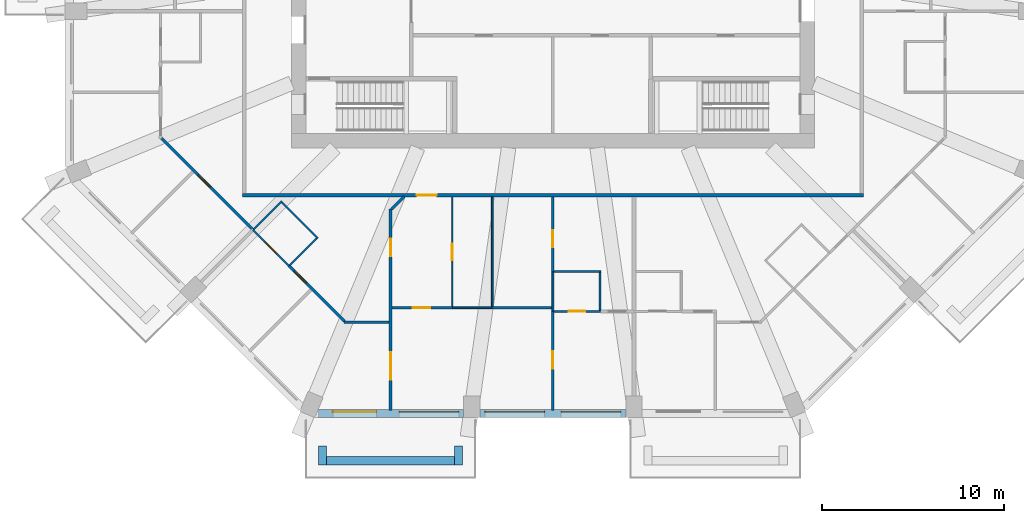
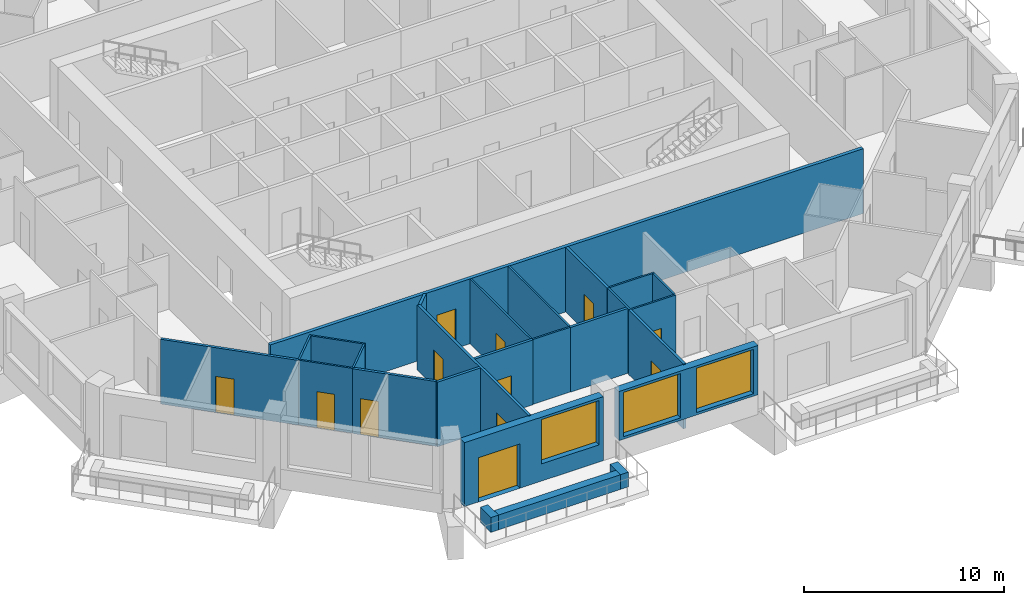
# One storey, part 3 of 13: 26 walls, 12 doors, 3 windows, 15 openings.
"""IFC4 building model written with IfcOpenShell, lengths in metres."""

from ifc_helpers import new_model, si_unit, direction, frame, frame_2d, origin, place, context, subcontext, project, spatial, rectangle, extrude, material, layer, layer_set, type_object, element, fill, save


model = new_model("IFC4")

# Units and contexts
model_context = context("Model", 3, precision=1e-05, world=origin(), true_north=direction((0.0, 1.0)))
body_context = subcontext(model_context, "Body", "Model", "MODEL_VIEW")
ifc_project = project(units=[si_unit("LENGTHUNIT", "METRE"), si_unit("AREAUNIT", "SQUARE_METRE"), si_unit("VOLUMEUNIT", "CUBIC_METRE"), si_unit("PLANEANGLEUNIT", "RADIAN"), si_unit("MASSUNIT", "GRAM", prefix="KILO")], contexts=[model_context])

# Site, building, storey
site_placement = place(None, origin())
site = spatial("IfcSite", under=ifc_project, at=site_placement, CompositionType="ELEMENT")
building_placement = place(site_placement, origin())
building = spatial("IfcBuilding", under=site, at=building_placement, Name="Msitu Wima Residences", CompositionType="ELEMENT")
storey_placement = place(building_placement, frame((0.0, 0.0, 106.5)))
storey = spatial("IfcBuildingStorey", under=building, at=storey_placement, Name="L24", CompositionType="ELEMENT", Elevation=106.5)

# Walls
ifc_material_1 = material(Name="Facing brick")
ifc_layer_1 = layer(ifc_material_1, 0.06494140625, Name="Facing brick")
ifc_material_2 = material(Name="Concrete C40/50", Category="concrete")
ifc_layer_2 = layer(ifc_material_2, 0.156005859375, Name="Concrete C40/50")
ifc_material_3 = material(Name="Waterproofing membrane")
ifc_layer_3 = layer(ifc_material_3, 0.00390625, Name="Waterproofing membrane")
ifc_material_4 = material(Name="Planting soil and planting")
ifc_layer_4 = layer(ifc_material_4, 0.22509765625, Name="Planting soil and planting")
ifc_layer_set_1 = layer_set([ifc_layer_1, ifc_layer_2, ifc_layer_3, ifc_layer_4], Name="Concrete C40/50")
wall_type_1 = type_object("IfcWallType", Name="Balcony planter PLANTER PL450", PredefinedType="USERDEFINED", material=ifc_layer_set_1)
wall_1_placement = place(storey_placement, frame((-12.455810546875, -29.22509765625, 0.0), z_axis=(0.0, 0.0, 1.0), x_axis=(1.0, 0.0, 0.0)))
element("IfcWall", 1, at=wall_1_placement, inside=storey, type_object=wall_type_1, Name="Balcony planter S0 L24", ObjectType="PLANTER", PredefinedType="USERDEFINED", context=body_context, shape_type="SweptSolid", body=[
    extrude(rectangle(XDim=7.037109375, YDim=0.449951171875, at=frame_2d((3.5185546875, 0.0))), origin(), (0.0, 0.0, 1.0), 0.89990234375),
])
for number, where, z_axis, x_axis, name in (
    (2, (-12.680908203125, -28.39990234375, 0.0), (0.0, 0.0, 1.0), (0.0, -1.0, 0.0), "Balcony planter S0 L24"),
    (3, (-5.193603515625, -28.39990234375, 0.0), (0.0, 0.0, 1.0), (0.0, -1.0, 0.0), "Balcony planter S0 L24"),
):
    element("IfcWall", number, at=place(storey_placement, frame(where, z_axis=z_axis, x_axis=x_axis)), inside=storey, type_object=wall_type_1, Name=name, ObjectType="PLANTER", PredefinedType="USERDEFINED", context=body_context, shape_type="SweptSolid", body=[
        extrude(rectangle(XDim=1.050048828125, YDim=0.449951171875, at=frame_2d((0.52490234375, 0.0))), origin(), (0.0, 0.0, 1.0), 0.89990234375),
    ])

# Wall, openings, door, window
ifc_material_5 = material(Name="Brick (red buff mix)", Category="masonry")
ifc_layer_5 = layer(ifc_material_5, 0.449951171875)
ifc_layer_set_2 = layer_set([ifc_layer_5], Name="Brick (red buff mix)")
wall_type_2 = type_object("IfcWallType", Name="Brick infill wall BW450", PredefinedType="SOLIDWALL", material=ifc_layer_set_2)
wall_2_placement = place(storey_placement, frame((-12.918701171875, -26.625, 0.0), z_axis=(0.0, 0.0, 1.0), x_axis=(1.0, 0.0, 0.0)))
wall_2 = element("IfcWall", 4, at=wall_2_placement, inside=storey, type_object=wall_type_2, Name="Brick infill wall L24 S0", PredefinedType="SOLIDWALL", context=body_context, shape_type="SweptSolid", body=[
    extrude(rectangle(XDim=8.0, YDim=0.449951171875, at=frame_2d((4.0, 0.0))), origin(), (0.0, 0.0, 1.0), 3.89990234375),
])
opening_1_placement = place(wall_2_placement, frame((0.800048828125, 0.0, 0.0)))
opening_1 = element("IfcOpeningElement", 5, at=opening_1_placement, cuts=wall_2, Name="Opening D24.006", PredefinedType="OPENING", context=body_context, shape_type="SweptSolid", body=[
    extrude(rectangle(XDim=2.39990234375, YDim=2.699951171875, at=frame_2d((1.199951171875, 1.35009765625))), frame((0.0, 0.23486328125, 0.0), z_axis=(0.0, -1.0, 0.0), x_axis=(1.0, 0.0, 0.0)), (0.0, 0.0, 1.0), 0.469970703125),
])
opening_2_placement = place(wall_2_placement, frame((4.4501953125, 0.0, 1.050048828125)))
opening_2 = element("IfcOpeningElement", 6, at=opening_2_placement, cuts=wall_2, Name="Opening W24.016", PredefinedType="OPENING", context=body_context, shape_type="SweptSolid", body=[
    extrude(rectangle(XDim=3.300048828125, YDim=2.699951171875, at=frame_2d((1.64990234375, 1.35009765625))), frame((0.0, 0.23486328125, 0.0), z_axis=(0.0, -1.0, 0.0), x_axis=(1.0, 0.0, 0.0)), (0.0, 0.0, 1.0), 0.469970703125),
])
ifc_material_6 = material(Name="Anodised aluminium, bronze finish, clear low-emissivity double glazing", Category="aluminium")
door_type_1 = type_object("IfcDoorType", Name="Balcony door D2400x2700", OperationType="SLIDING_TO_LEFT", PredefinedType="DOOR", material=ifc_material_6)
door_1_placement = place(opening_1_placement, origin())
door_1 = element("IfcDoor", 7, at=door_1_placement, inside=storey, type_object=door_type_1, Name="Balcony door L24 S0", OperationType="SINGLE_SWING_LEFT", OverallHeight=2.699951171875, OverallWidth=2.39990234375, PredefinedType="DOOR", context=body_context, shape_type="SweptSolid", body=[
    extrude(rectangle(XDim=2.39990234375, YDim=2.699951171875, at=frame_2d((1.199951171875, 1.35009765625))), frame((0.0, 0.1298828125, 0.0), z_axis=(0.0, -1.0, 0.0), x_axis=(1.0, 0.0, 0.0)), (0.0, 0.0, 1.0), 0.050048828125),
])
fill(opening_1, door_1)
window_type = type_object("IfcWindowType", Name="Window W3300x2700", PartitioningType="DOUBLE_PANEL_VERTICAL", PredefinedType="WINDOW", material=ifc_material_6)
window_1_placement = place(opening_2_placement, origin())
window_1 = element("IfcWindow", 8, at=window_1_placement, inside=storey, type_object=window_type, Name="Window L24 S0.2", OverallHeight=2.699951171875, OverallWidth=3.300048828125, PartitioningType="SINGLE_PANEL", PredefinedType="WINDOW", context=body_context, shape_type="SweptSolid", body=[
    extrude(rectangle(XDim=3.300048828125, YDim=2.699951171875, at=frame_2d((1.64990234375, 1.35009765625))), frame((0.0, 0.135009765625, 0.0), z_axis=(0.0, -1.0, 0.0), x_axis=(1.0, 0.0, 0.0)), (0.0, 0.0, 1.0), 0.06005859375),
])
fill(opening_2, window_1)

# Wall, openings, windows
wall_3_placement = place(storey_placement, frame((-4.0185546875, -26.625, 0.89990234375), z_axis=(0.0, 0.0, 1.0), x_axis=(1.0, 0.0, 0.0)))
wall_3 = element("IfcWall", 9, at=wall_3_placement, inside=storey, type_object=wall_type_2, Name="Brick infill wall L24 S1", PredefinedType="SOLIDWALL", context=body_context, shape_type="SweptSolid", body=[
    extrude(rectangle(XDim=8.037109375, YDim=0.449951171875, at=frame_2d((4.0185546875, 0.0))), origin(), (0.0, 0.0, 1.0), 3.0),
])
opening_3_placement = place(wall_3_placement, frame((0.2685546875, 0.0, 0.14990234375)))
opening_3 = element("IfcOpeningElement", 10, at=opening_3_placement, cuts=wall_3, Name="Opening W24.017", PredefinedType="OPENING", context=body_context, shape_type="SweptSolid", body=[
    extrude(rectangle(XDim=3.300048828125, YDim=2.699951171875, at=frame_2d((1.64990234375, 1.35009765625))), frame((0.0, 0.23486328125, 0.0), z_axis=(0.0, -1.0, 0.0), x_axis=(1.0, 0.0, 0.0)), (0.0, 0.0, 1.0), 0.469970703125),
])
opening_4_placement = place(wall_3_placement, frame((4.46875, 0.0, 0.14990234375)))
opening_4 = element("IfcOpeningElement", 11, at=opening_4_placement, cuts=wall_3, Name="Opening W24.018", PredefinedType="OPENING", context=body_context, shape_type="SweptSolid", body=[
    extrude(rectangle(XDim=3.300048828125, YDim=2.699951171875, at=frame_2d((1.64990234375, 1.35009765625))), frame((0.0, 0.23486328125, 0.0), z_axis=(0.0, -1.0, 0.0), x_axis=(1.0, 0.0, 0.0)), (0.0, 0.0, 1.0), 0.469970703125),
])
window_2_placement = place(opening_3_placement, origin())
window_2 = element("IfcWindow", 12, at=window_2_placement, inside=storey, type_object=window_type, Name="Window L24 S1.1", OverallHeight=2.699951171875, OverallWidth=3.300048828125, PartitioningType="SINGLE_PANEL", PredefinedType="WINDOW", context=body_context, shape_type="SweptSolid", body=[
    extrude(rectangle(XDim=3.300048828125, YDim=2.699951171875, at=frame_2d((1.64990234375, 1.35009765625))), frame((0.0, 0.135009765625, 0.0), z_axis=(0.0, -1.0, 0.0), x_axis=(1.0, 0.0, 0.0)), (0.0, 0.0, 1.0), 0.06005859375),
])
fill(opening_3, window_2)
window_3_placement = place(opening_4_placement, origin())
window_3 = element("IfcWindow", 13, at=window_3_placement, inside=storey, type_object=window_type, Name="Window L24 S1.2", OverallHeight=2.699951171875, OverallWidth=3.300048828125, PartitioningType="SINGLE_PANEL", PredefinedType="WINDOW", context=body_context, shape_type="SweptSolid", body=[
    extrude(rectangle(XDim=3.300048828125, YDim=2.699951171875, at=frame_2d((1.64990234375, 1.35009765625))), frame((0.0, 0.135009765625, 0.0), z_axis=(0.0, -1.0, 0.0), x_axis=(1.0, 0.0, 0.0)), (0.0, 0.0, 1.0), 0.06005859375),
])
fill(opening_4, window_3)

# Wall, opening, door
ifc_material_7 = material(Name="Plaster")
ifc_layer_6 = layer(ifc_material_7, 0.011962890625, Name="Plaster")
ifc_material_8 = material(Name="Concrete blockwork", Category="masonry")
ifc_layer_7 = layer(ifc_material_8, 0.176025390625, Name="Concrete blockwork")
ifc_layer_8 = layer(ifc_material_7, 0.011962890625, Name="Plaster")
ifc_layer_set_3 = layer_set([ifc_layer_6, ifc_layer_7, ifc_layer_8], Name="Concrete blockwork")
wall_type_3 = type_object("IfcWallType", Name="Corridor wall FW200", PredefinedType="PARTITIONING", material=ifc_layer_set_3)
wall_4_placement = place(storey_placement, frame((-17.10009765625, -14.60009765625, 0.0), z_axis=(0.0, 0.0, 1.0), x_axis=(1.0, 0.0, 0.0)))
wall_4 = element("IfcWall", 14, at=wall_4_placement, inside=storey, type_object=wall_type_3, Name="Corridor wall", PredefinedType="PARTITIONING", context=body_context, shape_type="SweptSolid", body=[
    extrude(rectangle(XDim=34.2001953125, YDim=0.199951171875, at=frame_2d((17.10009765625, 0.0))), origin(), (0.0, 0.0, 1.0), 3.949951171875),
])
opening_5_placement = place(wall_4_placement, frame((9.60009765625, 0.0, 0.0)))
opening_5 = element("IfcOpeningElement", 15, at=opening_5_placement, cuts=wall_4, Name="Opening D24.013", PredefinedType="OPENING", context=body_context, shape_type="SweptSolid", body=[
    extrude(rectangle(XDim=1.10009765625, YDim=2.39990234375, at=frame_2d((0.550048828125, 1.199951171875))), frame((0.0, 0.10986328125, 0.0), z_axis=(0.0, -1.0, 0.0), x_axis=(1.0, 0.0, 0.0)), (0.0, 0.0, 1.0), 0.219970703125),
])
ifc_material_9 = material(Name="Timber flush door, fire resisting, self-closing", Category="wood")
door_type_2 = type_object("IfcDoorType", Name="Flat entrance door D01 1100x2400", OperationType="SINGLE_SWING_LEFT", PredefinedType="DOOR", material=ifc_material_9)
door_2_placement = place(opening_5_placement, origin())
door_2 = element("IfcDoor", 16, at=door_2_placement, inside=storey, type_object=door_type_2, Name="Flat entrance door", OperationType="SINGLE_SWING_RIGHT", OverallHeight=2.39990234375, OverallWidth=1.10009765625, PredefinedType="DOOR", context=body_context, shape_type="SweptSolid", body=[
    extrude(rectangle(XDim=1.10009765625, YDim=2.39990234375, at=frame_2d((0.550048828125, 1.199951171875))), frame((0.0, 0.02490234375, 0.0), z_axis=(0.0, -1.0, 0.0), x_axis=(1.0, 0.0, 0.0)), (0.0, 0.0, 1.0), 0.050048828125),
])
fill(opening_5, door_2)

ifc_layer_9 = layer(ifc_material_7, 0.011962890625, Name="Plaster")
ifc_layer_10 = layer(ifc_material_8, 0.1259765625, Name="Concrete blockwork")
ifc_layer_11 = layer(ifc_material_7, 0.011962890625, Name="Plaster")
ifc_layer_set_4 = layer_set([ifc_layer_9, ifc_layer_10, ifc_layer_11], Name="Concrete blockwork")
wall_type_4 = type_object("IfcWallType", Name="Partition PW150", PredefinedType="PARTITIONING", material=ifc_layer_set_4)
wall_5_placement = place(storey_placement, frame((-21.546875, -11.470703125, 0.0), z_axis=(0.0, 0.0, 1.0), x_axis=(0.707106781187, -0.707106781187, 0.0)))
wall_5 = element("IfcWall", 17, at=wall_5_placement, inside=storey, type_object=wall_type_4, Name="Partition", PredefinedType="PARTITIONING", context=body_context, shape_type="SweptSolid", body=[
    extrude(rectangle(XDim=7.125, YDim=0.14990234375, at=frame_2d((3.5625, 0.0))), origin(), (0.0, 0.0, 1.0), 3.949951171875),
])
opening_6_placement = place(wall_5_placement, frame((2.85009765625, 0.0, 0.0)))
opening_6 = element("IfcOpeningElement", 18, at=opening_6_placement, cuts=wall_5, Name="Opening D24.062", PredefinedType="OPENING", context=body_context, shape_type="SweptSolid", body=[
    extrude(rectangle(XDim=0.949951171875, YDim=2.199951171875, at=frame_2d((0.47509765625, 1.10009765625))), frame((0.0, 0.0849609375, 0.0), z_axis=(0.0, -1.0, 0.0), x_axis=(1.0, 0.0, 0.0)), (0.0, 0.0, 1.0), 0.169921875),
])
ifc_material_10 = material(Name="Timber flush door", Category="wood")
door_type_3 = type_object("IfcDoorType", Name="Room door D12 950x2200", OperationType="SINGLE_SWING_LEFT", PredefinedType="DOOR", material=ifc_material_10)
door_3_placement = place(opening_6_placement, origin())
door_3 = element("IfcDoor", 19, at=door_3_placement, inside=storey, type_object=door_type_3, Name="Room door", OperationType="SINGLE_SWING_RIGHT", OverallHeight=2.199951171875, OverallWidth=0.949951171875, PredefinedType="DOOR", context=body_context, shape_type="SweptSolid", body=[
    extrude(rectangle(XDim=0.949951171875, YDim=2.199951171875, at=frame_2d((0.47509765625, 1.10009765625))), frame((0.0, 0.02490234375, 0.0), z_axis=(0.0, -1.0, 0.0), x_axis=(1.0, 0.0, 0.0)), (0.0, 0.0, 1.0), 0.050048828125),
])
fill(opening_6, door_3)

wall_6_placement = place(storey_placement, frame((-14.529052734375, -18.48876953125, 0.0), z_axis=(0.0, 0.0, 1.0), x_axis=(0.707135005059, -0.707078556188, 0.0)))
wall_6 = element("IfcWall", 20, at=wall_6_placement, inside=storey, type_object=wall_type_4, Name="Partition", PredefinedType="PARTITIONING", context=body_context, shape_type="SweptSolid", body=[
    extrude(rectangle(XDim=4.324951171875, YDim=0.14990234375, at=frame_2d((2.16259765625, 0.0))), origin(), (0.0, 0.0, 1.0), 3.949951171875),
])
opening_7_placement = place(wall_6_placement, frame((0.39990234375, 0.0, 0.0)))
opening_7 = element("IfcOpeningElement", 21, at=opening_7_placement, cuts=wall_6, Name="Opening D24.066", PredefinedType="OPENING", context=body_context, shape_type="SweptSolid", body=[
    extrude(rectangle(XDim=0.949951171875, YDim=2.199951171875, at=frame_2d((0.47509765625, 1.10009765625))), frame((0.0, 0.0849609375, 0.0), z_axis=(0.0, -1.0, 0.0), x_axis=(1.0, 0.0, 0.0)), (0.0, 0.0, 1.0), 0.169921875),
])
door_4_placement = place(opening_7_placement, origin())
door_4 = element("IfcDoor", 22, at=door_4_placement, inside=storey, type_object=door_type_3, Name="Room door", OperationType="SINGLE_SWING_LEFT", OverallHeight=2.199951171875, OverallWidth=0.949951171875, PredefinedType="DOOR", context=body_context, shape_type="SweptSolid", body=[
    extrude(rectangle(XDim=0.949951171875, YDim=2.199951171875, at=frame_2d((0.47509765625, 1.10009765625))), frame((0.0, 0.02490234375, 0.0), z_axis=(0.0, -1.0, 0.0), x_axis=(1.0, 0.0, 0.0)), (0.0, 0.0, 1.0), 0.050048828125),
])
fill(opening_7, door_4)

# Wall
wall_7_placement = place(storey_placement, frame((-11.49267578125, -21.60009765625, 0.0), z_axis=(0.0, 0.0, 1.0), x_axis=(1.0, 0.0, 0.0)))
element("IfcWall", 23, at=wall_7_placement, inside=storey, type_object=wall_type_4, Name="Partition", PredefinedType="PARTITIONING", context=body_context, shape_type="SweptSolid", body=[
    extrude(rectangle(XDim=2.48046875, YDim=0.14990234375, at=frame_2d((1.240234375, 0.0))), origin(), (0.0, 0.0, 1.0), 3.949951171875),
])

# Wall, openings, doors
wall_8_placement = place(storey_placement, frame((-8.937255859375, -26.455078125, 0.0), z_axis=(0.0, 0.0, 1.0), x_axis=(0.0, 1.0, 0.0)))
wall_8 = element("IfcWall", 24, at=wall_8_placement, inside=storey, type_object=wall_type_4, Name="Partition", PredefinedType="PARTITIONING", context=body_context, shape_type="SweptSolid", body=[
    extrude(rectangle(XDim=11.095703125, YDim=0.14990234375, at=frame_2d((5.5478515625, 0.0))), origin(), (0.0, 0.0, 1.0), 3.949951171875),
])
opening_8_placement = place(wall_8_placement, frame((8.5, 0.0, 0.0)))
opening_8 = element("IfcOpeningElement", 25, at=opening_8_placement, cuts=wall_8, Name="Opening D24.061", PredefinedType="OPENING", context=body_context, shape_type="SweptSolid", body=[
    extrude(rectangle(XDim=0.949951171875, YDim=2.199951171875, at=frame_2d((0.47509765625, 1.10009765625))), frame((0.0, 0.0849609375, 0.0), z_axis=(0.0, -1.0, 0.0), x_axis=(1.0, 0.0, 0.0)), (0.0, 0.0, 1.0), 0.169921875),
])
opening_9_placement = place(wall_8_placement, frame((1.699951171875, 0.0, 0.0)))
opening_9 = element("IfcOpeningElement", 26, at=opening_9_placement, cuts=wall_8, Name="Opening D24.070", PredefinedType="OPENING", context=body_context, shape_type="SweptSolid", body=[
    extrude(rectangle(XDim=1.5, YDim=2.199951171875, at=frame_2d((0.75, 1.10009765625))), frame((0.0, 0.0849609375, 0.0), z_axis=(0.0, -1.0, 0.0), x_axis=(1.0, 0.0, 0.0)), (0.0, 0.0, 1.0), 0.169921875),
])
ifc_material_11 = material(Name="Timber double door", Category="wood")
door_type_4 = type_object("IfcDoorType", Name="Double door D04 1500x2200", OperationType="DOUBLE_DOOR_SINGLE_SWING", PredefinedType="DOOR", material=ifc_material_11)
door_5_placement = place(opening_9_placement, origin())
door_5 = element("IfcDoor", 27, at=door_5_placement, inside=storey, type_object=door_type_4, Name="Double door", OperationType="DOUBLE_DOOR_SINGLE_SWING", OverallHeight=2.199951171875, OverallWidth=1.5, PredefinedType="DOOR", context=body_context, shape_type="SweptSolid", body=[
    extrude(rectangle(XDim=1.5, YDim=2.199951171875, at=frame_2d((0.75, 1.10009765625))), frame((0.0, 0.02490234375, 0.0), z_axis=(0.0, -1.0, 0.0), x_axis=(1.0, 0.0, 0.0)), (0.0, 0.0, 1.0), 0.050048828125),
])
fill(opening_9, door_5)
door_6_placement = place(opening_8_placement, origin())
door_6 = element("IfcDoor", 28, at=door_6_placement, inside=storey, type_object=door_type_3, Name="Room door", OperationType="SINGLE_SWING_RIGHT", OverallHeight=2.199951171875, OverallWidth=0.949951171875, PredefinedType="DOOR", context=body_context, shape_type="SweptSolid", body=[
    extrude(rectangle(XDim=0.949951171875, YDim=2.199951171875, at=frame_2d((0.47509765625, 1.10009765625))), frame((0.0, 0.02490234375, 0.0), z_axis=(0.0, -1.0, 0.0), x_axis=(1.0, 0.0, 0.0)), (0.0, 0.0, 1.0), 0.050048828125),
])
fill(opening_8, door_6)

# Wall, opening, door
wall_9_placement = place(storey_placement, frame((-8.8623046875, -20.800048828125, 0.0), z_axis=(0.0, 0.0, 1.0), x_axis=(1.0, 0.0, 0.0)))
wall_9 = element("IfcWall", 29, at=wall_9_placement, inside=storey, type_object=wall_type_4, Name="Partition", PredefinedType="PARTITIONING", context=body_context, shape_type="SweptSolid", body=[
    extrude(rectangle(XDim=3.344970703125, YDim=0.14990234375, at=frame_2d((1.67236328125, 0.0))), origin(), (0.0, 0.0, 1.0), 3.949951171875),
])
opening_10_placement = place(wall_9_placement, frame((1.14990234375, 0.0, 0.0)))
opening_10 = element("IfcOpeningElement", 30, at=opening_10_placement, cuts=wall_9, Name="Opening D24.065", PredefinedType="OPENING", context=body_context, shape_type="SweptSolid", body=[
    extrude(rectangle(XDim=0.949951171875, YDim=2.199951171875, at=frame_2d((0.47509765625, 1.10009765625))), frame((0.0, 0.0849609375, 0.0), z_axis=(0.0, -1.0, 0.0), x_axis=(1.0, 0.0, 0.0)), (0.0, 0.0, 1.0), 0.169921875),
])
door_7_placement = place(opening_10_placement, origin())
door_7 = element("IfcDoor", 31, at=door_7_placement, inside=storey, type_object=door_type_3, Name="Room door", OperationType="SINGLE_SWING_RIGHT", OverallHeight=2.199951171875, OverallWidth=0.949951171875, PredefinedType="DOOR", context=body_context, shape_type="SweptSolid", body=[
    extrude(rectangle(XDim=0.949951171875, YDim=2.199951171875, at=frame_2d((0.47509765625, 1.10009765625))), frame((0.0, 0.02490234375, 0.0), z_axis=(0.0, -1.0, 0.0), x_axis=(1.0, 0.0, 0.0)), (0.0, 0.0, 1.0), 0.050048828125),
])
fill(opening_10, door_7)

# Walls
wall_10_placement = place(storey_placement, frame((-8.88427734375, -15.38134765625, 0.0), z_axis=(0.0, 0.0, 1.0), x_axis=(0.707106781187, 0.707106781187, 0.0)))
element("IfcWall", 32, at=wall_10_placement, inside=storey, type_object=wall_type_4, Name="Partition", PredefinedType="PARTITIONING", context=body_context, shape_type="SweptSolid", body=[
    extrude(rectangle(XDim=1.005126953125, YDim=0.14990234375, at=frame_2d((0.50244140625, 0.0))), origin(), (0.0, 0.0, 1.0), 3.949951171875),
])
wall_11_placement = place(storey_placement, frame((-3.357177734375, -20.800048828125, 0.0), z_axis=(0.0, 0.0, 1.0), x_axis=(1.0, 0.0, 0.0)))
element("IfcWall", 33, at=wall_11_placement, inside=storey, type_object=wall_type_4, Name="Partition", PredefinedType="PARTITIONING", context=body_context, shape_type="SweptSolid", body=[
    extrude(rectangle(XDim=3.30712890625, YDim=0.14990234375, at=frame_2d((1.653564453125, 0.0))), origin(), (0.0, 0.0, 1.0), 3.949951171875),
])

# Wall, opening, door
wall_12_placement = place(storey_placement, frame((0.0, -26.455078125, 0.0), z_axis=(0.0, 0.0, 1.0), x_axis=(0.0, 1.0, 0.0)))
wall_12 = element("IfcWall", 34, at=wall_12_placement, inside=storey, type_object=wall_type_4, Name="Partition", PredefinedType="PARTITIONING", context=body_context, shape_type="SweptSolid", body=[
    extrude(rectangle(XDim=5.47509765625, YDim=0.14990234375, at=frame_2d((2.737548828125, 0.0))), origin(), (0.0, 0.0, 1.0), 3.949951171875),
])
opening_11_placement = place(wall_12_placement, frame((2.300048828125, 0.0, 0.0)))
opening_11 = element("IfcOpeningElement", 35, at=opening_11_placement, cuts=wall_12, Name="Opening D24.072", PredefinedType="OPENING", context=body_context, shape_type="SweptSolid", body=[
    extrude(rectangle(XDim=0.949951171875, YDim=2.199951171875, at=frame_2d((0.47509765625, 1.10009765625))), frame((0.0, 0.0849609375, 0.0), z_axis=(0.0, -1.0, 0.0), x_axis=(1.0, 0.0, 0.0)), (0.0, 0.0, 1.0), 0.169921875),
])
door_8_placement = place(opening_11_placement, origin())
door_8 = element("IfcDoor", 36, at=door_8_placement, inside=storey, type_object=door_type_3, Name="Room door", OperationType="SINGLE_SWING_RIGHT", OverallHeight=2.199951171875, OverallWidth=0.949951171875, PredefinedType="DOOR", context=body_context, shape_type="SweptSolid", body=[
    extrude(rectangle(XDim=0.949951171875, YDim=2.199951171875, at=frame_2d((0.47509765625, 1.10009765625))), frame((0.0, 0.02490234375, 0.0), z_axis=(0.0, -1.0, 0.0), x_axis=(1.0, 0.0, 0.0)), (0.0, 0.0, 1.0), 0.050048828125),
])
fill(opening_11, door_8)

wall_13_placement = place(storey_placement, frame((0.0, -18.820068359375, 0.0), z_axis=(0.0, 0.0, 1.0), x_axis=(0.0, 1.0, 0.0)))
wall_13 = element("IfcWall", 37, at=wall_13_placement, inside=storey, type_object=wall_type_4, Name="Partition", PredefinedType="PARTITIONING", context=body_context, shape_type="SweptSolid", body=[
    extrude(rectangle(XDim=4.1201171875, YDim=0.14990234375, at=frame_2d((2.06005859375, 0.0))), origin(), (0.0, 0.0, 1.0), 3.949951171875),
])
opening_12_placement = place(wall_13_placement, frame((1.35009765625, 0.0, 0.0)))
opening_12 = element("IfcOpeningElement", 38, at=opening_12_placement, cuts=wall_13, Name="Opening D24.076", PredefinedType="OPENING", context=body_context, shape_type="SweptSolid", body=[
    extrude(rectangle(XDim=0.949951171875, YDim=2.199951171875, at=frame_2d((0.47509765625, 1.10009765625))), frame((0.0, 0.0849609375, 0.0), z_axis=(0.0, -1.0, 0.0), x_axis=(1.0, 0.0, 0.0)), (0.0, 0.0, 1.0), 0.169921875),
])
door_9_placement = place(opening_12_placement, origin())
door_9 = element("IfcDoor", 39, at=door_9_placement, inside=storey, type_object=door_type_3, Name="Room door", OperationType="SINGLE_SWING_RIGHT", OverallHeight=2.199951171875, OverallWidth=0.949951171875, PredefinedType="DOOR", context=body_context, shape_type="SweptSolid", body=[
    extrude(rectangle(XDim=0.949951171875, YDim=2.199951171875, at=frame_2d((0.47509765625, 1.10009765625))), frame((0.0, 0.02490234375, 0.0), z_axis=(0.0, -1.0, 0.0), x_axis=(1.0, 0.0, 0.0)), (0.0, 0.0, 1.0), 0.050048828125),
])
fill(opening_12, door_9)

# Wall
ifc_material_12 = material(Name="Ceramic tiles")
ifc_layer_12 = layer(ifc_material_12, 0.008056640625, Name="Ceramic tiles")
ifc_material_13 = material(Name="Moisture-resistant board")
ifc_layer_13 = layer(ifc_material_13, 0.012451171875, Name="Moisture-resistant board")
ifc_material_14 = material(Name="Light-gauge stud framing with mineral wool")
ifc_layer_14 = layer(ifc_material_14, 0.06689453125, Name="Light-gauge stud framing with mineral wool")
ifc_layer_15 = layer(ifc_material_13, 0.012451171875, Name="Moisture-resistant board")
ifc_layer_set_5 = layer_set([ifc_layer_12, ifc_layer_13, ifc_layer_14, ifc_layer_15], Name="Light-gauge stud framing with mineral wool")
wall_type_5 = type_object("IfcWallType", Name="Wet wall PW100", PredefinedType="PARTITIONING", material=ifc_layer_set_5)
wall_14_placement = place(storey_placement, frame((-16.49462890625, -16.49462890625, 0.0), z_axis=(0.0, 0.0, 1.0), x_axis=(0.707106781187, 0.707106781187, 0.0)))
element("IfcWall", 40, at=wall_14_placement, inside=storey, type_object=wall_type_5, Name="Wet wall", PredefinedType="PARTITIONING", context=body_context, shape_type="SweptSolid", body=[
    extrude(rectangle(XDim=2.22998046875, YDim=0.10009765625, at=frame_2d((1.114990234375, 0.0))), origin(), (0.0, 0.0, 1.0), 3.949951171875),
])

# Wall, opening, door
wall_15_placement = place(storey_placement, frame((-16.5087890625, -16.5087890625, 0.0), z_axis=(0.0, 0.0, 1.0), x_axis=(0.707063182409, -0.707150377276, 0.0)))
wall_15 = element("IfcWall", 41, at=wall_15_placement, inside=storey, type_object=wall_type_5, Name="Wet wall", PredefinedType="PARTITIONING", context=body_context, shape_type="SweptSolid", body=[
    extrude(rectangle(XDim=2.800048828125, YDim=0.10009765625, at=frame_2d((1.39990234375, 0.0))), origin(), (0.0, 0.0, 1.0), 3.949951171875),
])
opening_13_placement = place(wall_15_placement, frame((0.949951171875, 0.0, 0.0)))
opening_13 = element("IfcOpeningElement", 42, at=opening_13_placement, cuts=wall_15, Name="Opening D24.067", PredefinedType="OPENING", context=body_context, shape_type="SweptSolid", body=[
    extrude(rectangle(XDim=0.89990234375, YDim=2.199951171875, at=frame_2d((0.449951171875, 1.10009765625))), frame((0.0, 0.06005859375, 0.0), z_axis=(0.0, -1.0, 0.0), x_axis=(1.0, 0.0, 0.0)), (0.0, 0.0, 1.0), 0.1201171875),
])
ifc_material_15 = material(Name="Timber flush door, moisture resistant", Category="wood")
door_type_5 = type_object("IfcDoorType", Name="Bathroom door D03 900x2200", OperationType="SINGLE_SWING_LEFT", PredefinedType="DOOR", material=ifc_material_15)
door_10_placement = place(opening_13_placement, origin())
door_10 = element("IfcDoor", 43, at=door_10_placement, inside=storey, type_object=door_type_5, Name="Bathroom door", OperationType="SINGLE_SWING_RIGHT", OverallHeight=2.199951171875, OverallWidth=0.89990234375, PredefinedType="DOOR", context=body_context, shape_type="SweptSolid", body=[
    extrude(rectangle(XDim=0.89990234375, YDim=2.199951171875, at=frame_2d((0.449951171875, 1.10009765625))), frame((0.0, 0.02490234375, 0.0), z_axis=(0.0, -1.0, 0.0), x_axis=(1.0, 0.0, 0.0)), (0.0, 0.0, 1.0), 0.050048828125),
])
fill(opening_13, door_10)

# Walls
wall_16_placement = place(storey_placement, frame((-14.917724609375, -14.988525390625, 0.0), z_axis=(0.0, 0.0, 1.0), x_axis=(0.707063182409, -0.707150377276, 0.0)))
element("IfcWall", 44, at=wall_16_placement, inside=storey, type_object=wall_type_5, Name="Wet wall", PredefinedType="PARTITIONING", context=body_context, shape_type="SweptSolid", body=[
    extrude(rectangle(XDim=2.800048828125, YDim=0.10009765625, at=frame_2d((1.39990234375, 0.0))), origin(), (0.0, 0.0, 1.0), 3.949951171875),
])
wall_17_placement = place(storey_placement, frame((-14.49365234375, -18.453369140625, 0.0), z_axis=(0.0, 0.0, 1.0), x_axis=(0.707164905125, 0.70704865247, 0.0)))
element("IfcWall", 45, at=wall_17_placement, inside=storey, type_object=wall_type_5, Name="Wet wall", PredefinedType="PARTITIONING", context=body_context, shape_type="SweptSolid", body=[
    extrude(rectangle(XDim=2.10009765625, YDim=0.10009765625, at=frame_2d((1.050048828125, 0.0))), origin(), (0.0, 0.0, 1.0), 3.949951171875),
])
wall_18_placement = place(storey_placement, frame((-5.517333984375, -20.800048828125, 0.0), z_axis=(0.0, 0.0, 1.0), x_axis=(1.0, 0.0, 0.0)))
element("IfcWall", 46, at=wall_18_placement, inside=storey, type_object=wall_type_5, Name="Wet wall", PredefinedType="PARTITIONING", context=body_context, shape_type="SweptSolid", body=[
    extrude(rectangle(XDim=2.16015625, YDim=0.10009765625, at=frame_2d((1.080078125, 0.0))), origin(), (0.0, 0.0, 1.0), 3.949951171875),
])

# Wall, opening, door
wall_19_placement = place(storey_placement, frame((-5.537353515625, -20.72509765625, 0.0), z_axis=(0.0, 0.0, 1.0), x_axis=(0.0, 1.0, 0.0)))
wall_19 = element("IfcWall", 47, at=wall_19_placement, inside=storey, type_object=wall_type_5, Name="Wet wall", PredefinedType="PARTITIONING", context=body_context, shape_type="SweptSolid", body=[
    extrude(rectangle(XDim=6.025146484375, YDim=0.10009765625, at=frame_2d((3.0126953125, 0.0))), origin(), (0.0, 0.0, 1.0), 3.949951171875),
])
opening_14_placement = place(wall_19_placement, frame((2.550048828125, 0.0, 0.0)))
opening_14 = element("IfcOpeningElement", 48, at=opening_14_placement, cuts=wall_19, Name="Opening D24.063", PredefinedType="OPENING", context=body_context, shape_type="SweptSolid", body=[
    extrude(rectangle(XDim=0.89990234375, YDim=2.199951171875, at=frame_2d((0.449951171875, 1.10009765625))), frame((0.0, 0.06005859375, 0.0), z_axis=(0.0, -1.0, 0.0), x_axis=(1.0, 0.0, 0.0)), (0.0, 0.0, 1.0), 0.1201171875),
])
door_11_placement = place(opening_14_placement, origin())
door_11 = element("IfcDoor", 49, at=door_11_placement, inside=storey, type_object=door_type_5, Name="Bathroom door", OperationType="SINGLE_SWING_RIGHT", OverallHeight=2.199951171875, OverallWidth=0.89990234375, PredefinedType="DOOR", context=body_context, shape_type="SweptSolid", body=[
    extrude(rectangle(XDim=0.89990234375, YDim=2.199951171875, at=frame_2d((0.449951171875, 1.10009765625))), frame((0.0, 0.02490234375, 0.0), z_axis=(0.0, -1.0, 0.0), x_axis=(1.0, 0.0, 0.0)), (0.0, 0.0, 1.0), 0.050048828125),
])
fill(opening_14, door_11)

# Walls
wall_20_placement = place(storey_placement, frame((-3.337158203125, -20.75, 0.0), z_axis=(0.0, 0.0, 1.0), x_axis=(0.0, 1.0, 0.0)))
element("IfcWall", 50, at=wall_20_placement, inside=storey, type_object=wall_type_5, Name="Wet wall", PredefinedType="PARTITIONING", context=body_context, shape_type="SweptSolid", body=[
    extrude(rectangle(XDim=6.050048828125, YDim=0.10009765625, at=frame_2d((3.02490234375, 0.0))), origin(), (0.0, 0.0, 1.0), 3.949951171875),
])
wall_21_placement = place(storey_placement, frame((0.0, -20.97998046875, 0.0), z_axis=(0.0, 0.0, 1.0), x_axis=(0.0, 1.0, 0.0)))
element("IfcWall", 51, at=wall_21_placement, inside=storey, type_object=wall_type_5, Name="Wet wall", PredefinedType="PARTITIONING", context=body_context, shape_type="SweptSolid", body=[
    extrude(rectangle(XDim=2.159912109375, YDim=0.10009765625, at=frame_2d((1.080078125, 0.0))), origin(), (0.0, 0.0, 1.0), 3.949951171875),
])

# Wall, opening, door
wall_22_placement = place(storey_placement, frame((0.074951171875, -21.0, 0.0), z_axis=(0.0, 0.0, 1.0), x_axis=(1.0, 0.0, 0.0)))
wall_22 = element("IfcWall", 52, at=wall_22_placement, inside=storey, type_object=wall_type_5, Name="Wet wall", PredefinedType="PARTITIONING", context=body_context, shape_type="SweptSolid", body=[
    extrude(rectangle(XDim=2.545166015625, YDim=0.10009765625, at=frame_2d((1.2724609375, 0.0))), origin(), (0.0, 0.0, 1.0), 3.949951171875),
])
opening_15_placement = place(wall_22_placement, frame((0.800048828125, 0.0, 0.0)))
opening_15 = element("IfcOpeningElement", 53, at=opening_15_placement, cuts=wall_22, Name="Opening D24.073", PredefinedType="OPENING", context=body_context, shape_type="SweptSolid", body=[
    extrude(rectangle(XDim=0.89990234375, YDim=2.199951171875, at=frame_2d((0.449951171875, 1.10009765625))), frame((0.0, 0.06005859375, 0.0), z_axis=(0.0, -1.0, 0.0), x_axis=(1.0, 0.0, 0.0)), (0.0, 0.0, 1.0), 0.1201171875),
])
door_12_placement = place(opening_15_placement, origin())
door_12 = element("IfcDoor", 54, at=door_12_placement, inside=storey, type_object=door_type_5, Name="Bathroom door", OperationType="SINGLE_SWING_RIGHT", OverallHeight=2.199951171875, OverallWidth=0.89990234375, PredefinedType="DOOR", context=body_context, shape_type="SweptSolid", body=[
    extrude(rectangle(XDim=0.89990234375, YDim=2.199951171875, at=frame_2d((0.449951171875, 1.10009765625))), frame((0.0, 0.02490234375, 0.0), z_axis=(0.0, -1.0, 0.0), x_axis=(1.0, 0.0, 0.0)), (0.0, 0.0, 1.0), 0.050048828125),
])
fill(opening_15, door_12)

# Walls
wall_23_placement = place(storey_placement, frame((0.074951171875, -18.800048828125, 0.0), z_axis=(0.0, 0.0, 1.0), x_axis=(1.0, 0.0, 0.0)))
element("IfcWall", 55, at=wall_23_placement, inside=storey, type_object=wall_type_5, Name="Wet wall", PredefinedType="PARTITIONING", context=body_context, shape_type="SweptSolid", body=[
    extrude(rectangle(XDim=2.574951171875, YDim=0.10009765625, at=frame_2d((1.28759765625, 0.0))), origin(), (0.0, 0.0, 1.0), 3.949951171875),
])
wall_24_placement = place(storey_placement, frame((2.60009765625, -20.925048828125, 0.0), z_axis=(0.0, 0.0, 1.0), x_axis=(0.0, 1.0, 0.0)))
element("IfcWall", 56, at=wall_24_placement, inside=storey, type_object=wall_type_5, Name="Wet wall", PredefinedType="PARTITIONING", context=body_context, shape_type="SweptSolid", body=[
    extrude(rectangle(XDim=2.074951171875, YDim=0.10009765625, at=frame_2d((1.03759765625, 0.0))), origin(), (0.0, 0.0, 1.0), 3.949951171875),
])

save(model, "model.ifc")
